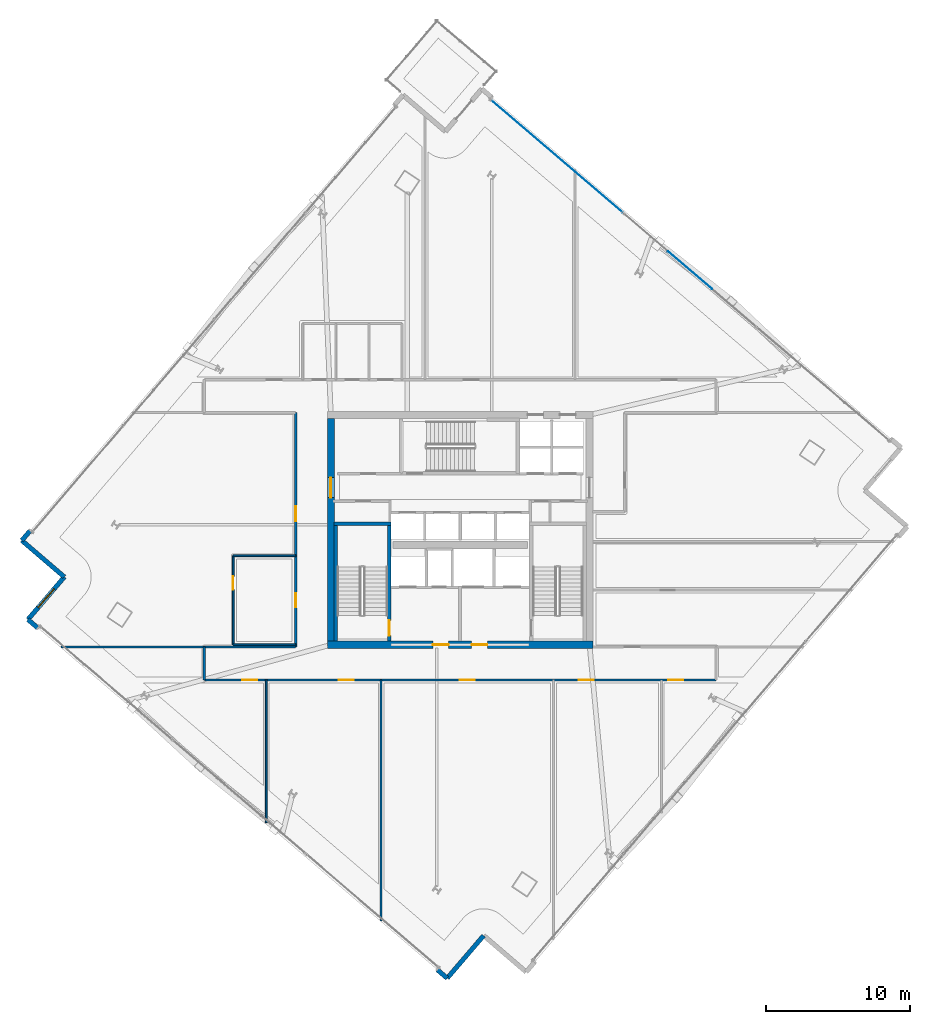
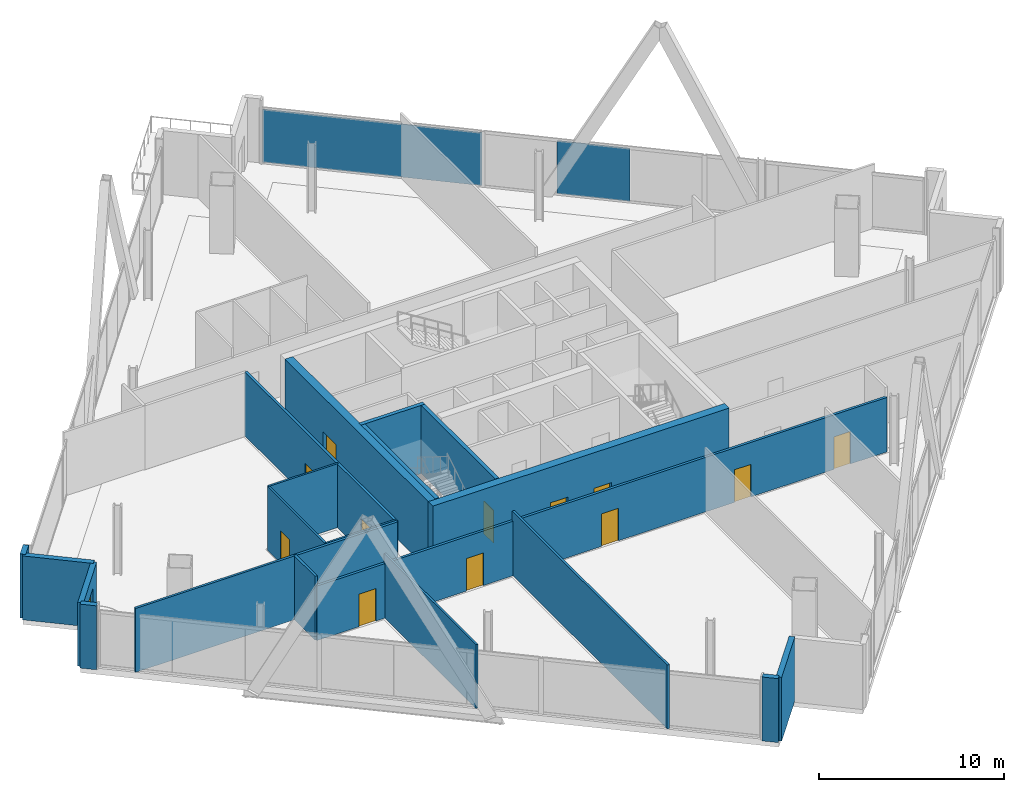
# One storey, part 18 of 26: 21 walls, 12 doors, 2 plates, 1 window, 13 openings, 1 element without a shape of its own.
"""IFC4 building model written with IfcOpenShell, lengths in metres."""

from ifc_helpers import new_model, si_unit, direction, frame, frame_2d, origin, origin_2d, place, context, subcontext, project, spatial, rectangle, extrude, source, transform, mapped, material, layer, layer_set, type_object, element, fill, aggregate, save


model = new_model("IFC4")

# Units and contexts
model_context = context("Model", 3, precision=1e-05, world=origin(), true_north=direction((0.0, 1.0)))
body_context = subcontext(model_context, "Body", "Model", "MODEL_VIEW")
ifc_project = project(units=[si_unit("LENGTHUNIT", "METRE"), si_unit("AREAUNIT", "SQUARE_METRE"), si_unit("VOLUMEUNIT", "CUBIC_METRE"), si_unit("PLANEANGLEUNIT", "RADIAN"), si_unit("MASSUNIT", "GRAM", prefix="KILO")], contexts=[model_context])

# Site, building, storey
site_placement = place(None, origin())
site = spatial("IfcSite", under=ifc_project, at=site_placement, CompositionType="ELEMENT")
building_placement = place(site_placement, origin())
building = spatial("IfcBuilding", under=site, at=building_placement, Name="Haldenkirk Collegiate Tower", CompositionType="ELEMENT")
storey_placement = place(building_placement, frame((0.0, 0.0, 193.949951171875)))
storey = spatial("IfcBuildingStorey", under=building, at=storey_placement, Name="L48", CompositionType="ELEMENT", Elevation=193.949951171875)

# Curtain wall, plates
ifc_material_1 = material(Name="Anodised architectural bronze aluminium", Category="aluminium")
curtain_wall_type = type_object("IfcCurtainWallType", Name="CW-SYS4-SKYGARDEN", PredefinedType="USERDEFINED", material=ifc_material_1)
curtain_wall_placement = place(storey_placement, origin())
curtain_wall = element("IfcCurtainWall", 1, at=curtain_wall_placement, inside=storey, type_object=curtain_wall_type, Name="L48 Sky-garden tall bronze curtain wall", ObjectType="UNITISED CURTAIN WALL", PredefinedType="USERDEFINED")
ifc_material_2 = material(Name="Low-E argon triple insulating glass", Category="glass")
ifc_layer_1 = layer(ifc_material_2, 0.0458984375)
ifc_layer_set_1 = layer_set([ifc_layer_1], Name="Low-E argon triple insulating glass")
plate_type_1 = type_object("IfcPlateType", Name="CW-PNL-04", PredefinedType="CURTAIN_PANEL", material=ifc_layer_set_1)
shared_shape_1 = source(origin(), body_context, "Body", "SweptSolid", [
    extrude(rectangle(XDim=12.06494140625, YDim=0.0458984375, at=origin_2d()), origin(), (0.0, 0.0, 1.0), 3.498046875),
])
plate_1_placement = place(storey_placement, frame((42.731689453125, 51.98388671875, 0.090087890625), z_axis=(0.0, 0.0, 1.0), x_axis=(0.759837400038, -0.650113163613, 0.0)))
plate_1 = element("IfcPlate", 2, at=plate_1_placement, type_object=plate_type_1, Name="CW-04 panel 1.1", PredefinedType="CURTAIN_PANEL", context=body_context, shape_type="MappedRepresentation", body=[
    mapped(shared_shape_1, transform((0.0, 0.0, 0.0), x_axis=(1.0, 0.0, 0.0), y_axis=(0.0, 1.0, 0.0), z_axis=(0.0, 0.0, 1.0), scale=1.0)),
])
ifc_material_3 = material(Name="Bronze-anodised insulated aluminium spandrel panel", Category="aluminium")
ifc_layer_2 = layer(ifc_material_3, 0.0458984375)
ifc_layer_set_2 = layer_set([ifc_layer_2], Name="Bronze-anodised insulated aluminium spandrel panel")
plate_type_2 = type_object("IfcPlateType", Name="CW-SPD-04", PredefinedType="CURTAIN_PANEL", material=ifc_layer_set_2)
shared_shape_2 = source(origin(), body_context, "Body", "SweptSolid", [
    extrude(rectangle(XDim=4.01171875, YDim=0.0458984375, at=origin_2d()), origin(), (0.0, 0.0, 1.0), 3.498046875),
])
plate_2_placement = place(storey_placement, frame((51.984619140625, 44.067138671875, 0.090087890625), z_axis=(0.0, 0.0, 1.0), x_axis=(0.759837400038, -0.650113163613, 0.0)))
plate_2 = element("IfcPlate", 3, at=plate_2_placement, type_object=plate_type_2, Name="CW-04 spandrel panel 2.1b", PredefinedType="CURTAIN_PANEL", context=body_context, shape_type="MappedRepresentation", body=[
    mapped(shared_shape_2, transform((0.0, 0.0, 0.0), x_axis=(1.0, 0.0, 0.0), y_axis=(0.0, 1.0, 0.0), z_axis=(0.0, 0.0, 1.0), scale=1.0)),
])
aggregate(curtain_wall, [plate_1, plate_2])

# Wall, openings, doors
ifc_material_4 = material(Name="Concrete f'c 55 MPa", Category="concrete")
ifc_layer_3 = layer(ifc_material_4, 0.5)
ifc_layer_set_3 = layer_set([ifc_layer_3], Name="Concrete f'c 55 MPa")
wall_type_1 = type_object("IfcWallType", Name="WL-CORE-500", PredefinedType="SHEAR", material=ifc_layer_set_3)
wall_1_placement = place(storey_placement, frame((26.75, 18.0, 0.0), z_axis=(0.0, 0.0, 1.0), x_axis=(1.0, 0.0, 0.0)))
wall_1 = element("IfcWall", 4, at=wall_1_placement, inside=storey, type_object=wall_type_1, Name="L48 central core shear wall S", PredefinedType="SHEAR", context=body_context, shape_type="SweptSolid", body=[
    extrude(rectangle(XDim=18.5, YDim=0.5, at=frame_2d((9.25, 0.0))), origin(), (0.0, 0.0, 1.0), 4.5),
])
opening_1_placement = place(wall_1_placement, frame((7.35009765625, 0.0, 0.0)))
opening_1 = element("IfcOpeningElement", 5, at=opening_1_placement, cuts=wall_1, Name="Opening D-02", PredefinedType="OPENING", context=body_context, shape_type="SweptSolid", body=[
    extrude(rectangle(XDim=1.10009765625, YDim=2.14990234375, at=frame_2d((0.550048828125, 1.074951171875))), frame((0.0, 0.260009765625, 0.0), z_axis=(0.0, -1.0, 0.0), x_axis=(1.0, 0.0, 0.0)), (0.0, 0.0, 1.0), 0.52001953125),
])
opening_2_placement = place(wall_1_placement, frame((10.050048828125, 0.0, 0.0)))
opening_2 = element("IfcOpeningElement", 6, at=opening_2_placement, cuts=wall_1, Name="Opening D-02", PredefinedType="OPENING", context=body_context, shape_type="SweptSolid", body=[
    extrude(rectangle(XDim=1.10009765625, YDim=2.14990234375, at=frame_2d((0.550048828125, 1.074951171875))), frame((0.0, 0.260009765625, 0.0), z_axis=(0.0, -1.0, 0.0), x_axis=(1.0, 0.0, 0.0)), (0.0, 0.0, 1.0), 0.52001953125),
])
ifc_material_5 = material(Name="Galvanized fire-rated hollow steel door", Category="steel")
ifc_layer_4 = layer(ifc_material_5, 0.06005859375)
ifc_layer_set_4 = layer_set([ifc_layer_4], Name="Galvanized fire-rated hollow steel door")
door_type_1 = type_object("IfcDoorType", Name="DR-STAIR-FD90-1100", OperationType="NOTDEFINED", PredefinedType="DOOR", material=ifc_layer_set_4)
door_1_placement = place(opening_1_placement, origin())
door_1 = element("IfcDoor", 7, at=door_1_placement, inside=storey, type_object=door_type_1, Name="L48 Firefighting Lobby 1 door", OperationType="SINGLE_SWING_RIGHT", OverallHeight=2.14990234375, OverallWidth=1.10009765625, PredefinedType="DOOR", context=body_context, shape_type="SweptSolid", body=[
    extrude(rectangle(XDim=1.10009765625, YDim=2.14990234375, at=frame_2d((0.550048828125, 1.074951171875))), frame((0.0, 0.02490234375, 0.0), z_axis=(0.0, -1.0, 0.0), x_axis=(1.0, 0.0, 0.0)), (0.0, 0.0, 1.0), 0.050048828125),
])
fill(opening_1, door_1)
door_2_placement = place(opening_2_placement, origin())
door_2 = element("IfcDoor", 8, at=door_2_placement, inside=storey, type_object=door_type_1, Name="L48 Firefighting Lobby 2 door", OperationType="SINGLE_SWING_LEFT", OverallHeight=2.14990234375, OverallWidth=1.10009765625, PredefinedType="DOOR", context=body_context, shape_type="SweptSolid", body=[
    extrude(rectangle(XDim=1.10009765625, YDim=2.14990234375, at=frame_2d((0.550048828125, 1.074951171875))), frame((0.0, 0.02490234375, 0.0), z_axis=(0.0, -1.0, 0.0), x_axis=(1.0, 0.0, 0.0)), (0.0, 0.0, 1.0), 0.050048828125),
])
fill(opening_2, door_2)

# Wall, opening, door
wall_2_placement = place(storey_placement, frame((27.0, 18.25, 0.0), z_axis=(0.0, 0.0, 1.0), x_axis=(0.0, 1.0, 0.0)))
wall_2 = element("IfcWall", 9, at=wall_2_placement, inside=storey, type_object=wall_type_1, Name="L48 central core shear wall W", PredefinedType="SHEAR", context=body_context, shape_type="SweptSolid", body=[
    extrude(rectangle(XDim=15.5, YDim=0.5, at=frame_2d((7.75, 0.0))), origin(), (0.0, 0.0, 1.0), 4.5),
])
opening_3_placement = place(wall_2_placement, frame((9.989990234375, 0.0, 0.0)))
opening_3 = element("IfcOpeningElement", 10, at=opening_3_placement, cuts=wall_2, Name="Opening D-03", PredefinedType="OPENING", context=body_context, shape_type="SweptSolid", body=[
    extrude(rectangle(XDim=1.39990234375, YDim=2.199951171875, at=frame_2d((0.699951171875, 1.10009765625))), frame((0.0, 0.260009765625, 0.0), z_axis=(0.0, -1.0, 0.0), x_axis=(1.0, 0.0, 0.0)), (0.0, 0.0, 1.0), 0.52001953125),
])
ifc_layer_5 = layer(ifc_material_5, 0.06005859375)
ifc_layer_set_5 = layer_set([ifc_layer_5], Name="Galvanized fire-rated hollow steel door")
door_type_2 = type_object("IfcDoorType", Name="DR-LOBBY-FD90-1400", OperationType="NOTDEFINED", PredefinedType="DOOR", material=ifc_layer_set_5)
door_3_placement = place(opening_3_placement, origin())
door_3 = element("IfcDoor", 11, at=door_3_placement, inside=storey, type_object=door_type_2, Name="L48 west lift lobby portal", OperationType="DOUBLE_DOOR_SINGLE_SWING", OverallHeight=2.199951171875, OverallWidth=1.39990234375, PredefinedType="DOOR", context=body_context, shape_type="SweptSolid", body=[
    extrude(rectangle(XDim=1.39990234375, YDim=2.199951171875, at=frame_2d((0.699951171875, 1.10009765625))), frame((0.0, 0.02490234375, 0.0), z_axis=(0.0, -1.0, 0.0), x_axis=(1.0, 0.0, 0.0)), (0.0, 0.0, 1.0), 0.050048828125),
])
fill(opening_3, door_3)

# Walls
ifc_material_6 = material(Name="Precast concrete f'c 40 MPa", Category="concrete")
ifc_layer_6 = layer(ifc_material_6, 0.320068359375)
ifc_layer_set_6 = layer_set([ifc_layer_6], Name="Precast concrete f'c 40 MPa")
wall_type_2 = type_object("IfcWallType", Name="WL-EXT-TWR-320", PredefinedType="STANDARD", material=ifc_layer_set_6)
wall_3_placement = place(storey_placement, frame((5.489501953125, 25.2568359375, 0.0), z_axis=(0.0, 0.0, 1.0), x_axis=(0.650031411695, 0.759907338963, 0.0)))
element("IfcWall", 12, at=wall_3_placement, inside=storey, type_object=wall_type_2, Name="L48 precast corner pier NL", PredefinedType="STANDARD", context=body_context, shape_type="SweptSolid", body=[
    extrude(rectangle(XDim=0.89990234375, YDim=0.320068359375, at=frame_2d((0.449951171875, 0.0))), origin(), (0.0, 0.0, 1.0), 4.219970703125),
])
wall_4_placement = place(storey_placement, frame((8.452880859375, 22.721435546875, 0.0), z_axis=(0.0, 0.0, 1.0), x_axis=(-0.759844000319, 0.650105449276, 0.0)))
element("IfcWall", 13, at=wall_4_placement, inside=storey, type_object=wall_type_2, Name="L48 bronze precast notch wall 08", PredefinedType="STANDARD", context=body_context, shape_type="SweptSolid", body=[
    extrude(rectangle(XDim=3.89990234375, YDim=0.320068359375, at=frame_2d((1.949951171875, 0.0))), origin(), (0.0, 0.0, 1.0), 4.219970703125),
])

# Wall, opening, window
wall_5_placement = place(storey_placement, frame((5.917236328125, 19.758056640625, 0.0), z_axis=(0.0, 0.0, 1.0), x_axis=(0.650141590235, 0.759813077438, 0.0)))
wall_5 = element("IfcWall", 14, at=wall_5_placement, inside=storey, type_object=wall_type_2, Name="L48 bronze precast notch wall 09", PredefinedType="STANDARD", context=body_context, shape_type="SweptSolid", body=[
    extrude(rectangle(XDim=3.900146484375, YDim=0.320068359375, at=frame_2d((1.9501953125, 0.0))), origin(), (0.0, 0.0, 1.0), 4.219970703125),
])
opening_4_placement = place(wall_5_placement, frame((1.10009765625, 0.0, 0.75)))
opening_4 = element("IfcOpeningElement", 15, at=opening_4_placement, cuts=wall_5, Name="Opening W-09", PredefinedType="OPENING", context=body_context, shape_type="SweptSolid", body=[
    extrude(rectangle(XDim=1.699951171875, YDim=2.5, at=frame_2d((0.85009765625, 1.25))), frame((0.0, 0.169921875, 0.0), z_axis=(0.0, -1.0, 0.0), x_axis=(1.0, 0.0, 0.0)), (0.0, 0.0, 1.0), 0.340087890625),
])
ifc_layer_7 = layer(ifc_material_2, 0.090087890625)
ifc_layer_set_7 = layer_set([ifc_layer_7], Name="Low-E argon triple insulating glass")
window_type = type_object("IfcWindowType", Name="WN-SG-1700X2500", PartitioningType="SINGLE_PANEL", PredefinedType="WINDOW", material=ifc_layer_set_7)
window_placement = place(opening_4_placement, origin())
window = element("IfcWindow", 16, at=window_placement, inside=storey, type_object=window_type, Name="L48 precast-frame academic window 8", OverallHeight=2.5, OverallWidth=1.699951171875, PartitioningType="SINGLE_PANEL", PredefinedType="WINDOW", context=body_context, shape_type="SweptSolid", body=[
    extrude(rectangle(XDim=1.699951171875, YDim=2.5, at=frame_2d((0.85009765625, 1.25))), frame((0.0, 0.030029296875, 0.0), z_axis=(0.0, -1.0, 0.0), x_axis=(1.0, 0.0, 0.0)), (0.0, 0.0, 1.0), 0.06005859375),
])
fill(opening_4, window)

# Walls
for number, where, z_axis, x_axis, name in (
    (17, (35.09521484375, -5.206298828125, 0.0), (0.0, 0.0, 1.0), (-0.759887969129, 0.650054054962, 0.0), "L48 precast corner pier WL"),
    (18, (6.601318359375, 19.1728515625, 0.0), (0.0, 0.0, 1.0), (-0.759887969129, 0.650054054962, 0.0), "L48 precast corner pier WR"),
):
    element("IfcWall", number, at=place(storey_placement, frame(where, z_axis=z_axis, x_axis=x_axis)), inside=storey, type_object=wall_type_2, Name=name, PredefinedType="STANDARD", context=body_context, shape_type="SweptSolid", body=[
        extrude(rectangle(XDim=0.900146484375, YDim=0.320068359375, at=frame_2d((0.4501953125, 0.0))), origin(), (0.0, 0.0, 1.0), 4.219970703125),
    ])
wall_6_placement = place(storey_placement, frame((37.630615234375, -2.242919921875, 0.0), z_axis=(0.0, 0.0, 1.0), x_axis=(-0.650105449276, -0.759844000319, 0.0)))
element("IfcWall", 19, at=wall_6_placement, inside=storey, type_object=wall_type_2, Name="L48 bronze precast notch wall 11", PredefinedType="STANDARD", context=body_context, shape_type="SweptSolid", body=[
    extrude(rectangle(XDim=3.89990234375, YDim=0.320068359375, at=frame_2d((1.949951171875, 0.0))), origin(), (0.0, 0.0, 1.0), 4.219970703125),
])

# Wall, openings, doors
ifc_material_7 = material(Name="Acoustic fire-rated gypsum partition", Category="concrete")
ifc_layer_8 = layer(ifc_material_7, 0.159912109375)
ifc_layer_set_8 = layer_set([ifc_layer_8], Name="Acoustic fire-rated gypsum partition")
wall_type_3 = type_object("IfcWallType", Name="WL-INT-CORR-160", PredefinedType="PARTITIONING", material=ifc_layer_set_8)
wall_7_placement = place(storey_placement, frame((18.199951171875, 15.550048828125, 0.0), z_axis=(0.0, 0.0, 1.0), x_axis=(1.0, 0.0, 0.0)))
wall_7 = element("IfcWall", 20, at=wall_7_placement, inside=storey, type_object=wall_type_3, Name="L48 interior partition IW-L48-CS", PredefinedType="PARTITIONING", context=body_context, shape_type="SweptSolid", body=[
    extrude(rectangle(XDim=35.60009765625, YDim=0.159912109375, at=frame_2d((17.800048828125, 0.0))), origin(), (0.0, 0.0, 1.0), 3.59912109375),
])
opening_5_placement = place(wall_7_placement, frame((2.625, 0.0, 0.0)))
opening_5 = element("IfcOpeningElement", 21, at=opening_5_placement, cuts=wall_7, Name="Opening D-09", PredefinedType="OPENING", context=body_context, shape_type="SweptSolid", body=[
    extrude(rectangle(XDim=1.050048828125, YDim=2.14990234375, at=frame_2d((0.52490234375, 1.074951171875))), frame((0.0, 0.08984375, 0.0), z_axis=(0.0, -1.0, 0.0), x_axis=(1.0, 0.0, 0.0)), (0.0, 0.0, 1.0), 0.179931640625),
])
opening_6_placement = place(wall_7_placement, frame((9.3349609375, 0.0, 0.0)))
opening_6 = element("IfcOpeningElement", 22, at=opening_6_placement, cuts=wall_7, Name="Opening D-09", PredefinedType="OPENING", context=body_context, shape_type="SweptSolid", body=[
    extrude(rectangle(XDim=1.050048828125, YDim=2.14990234375, at=frame_2d((0.52490234375, 1.074951171875))), frame((0.0, 0.08984375, 0.0), z_axis=(0.0, -1.0, 0.0), x_axis=(1.0, 0.0, 0.0)), (0.0, 0.0, 1.0), 0.179931640625),
])
opening_7_placement = place(wall_7_placement, frame((17.77490234375, 0.0, 0.0)))
opening_7 = element("IfcOpeningElement", 23, at=opening_7_placement, cuts=wall_7, Name="Opening D-09", PredefinedType="OPENING", context=body_context, shape_type="SweptSolid", body=[
    extrude(rectangle(XDim=1.050048828125, YDim=2.14990234375, at=frame_2d((0.52490234375, 1.074951171875))), frame((0.0, 0.08984375, 0.0), z_axis=(0.0, -1.0, 0.0), x_axis=(1.0, 0.0, 0.0)), (0.0, 0.0, 1.0), 0.179931640625),
])
opening_8_placement = place(wall_7_placement, frame((26.054931640625, 0.0, 0.0)))
opening_8 = element("IfcOpeningElement", 24, at=opening_8_placement, cuts=wall_7, Name="Opening D-09", PredefinedType="OPENING", context=body_context, shape_type="SweptSolid", body=[
    extrude(rectangle(XDim=1.050048828125, YDim=2.14990234375, at=frame_2d((0.52490234375, 1.074951171875))), frame((0.0, 0.08984375, 0.0), z_axis=(0.0, -1.0, 0.0), x_axis=(1.0, 0.0, 0.0)), (0.0, 0.0, 1.0), 0.179931640625),
])
opening_9_placement = place(wall_7_placement, frame((32.264892578125, 0.0, 0.0)))
opening_9 = element("IfcOpeningElement", 25, at=opening_9_placement, cuts=wall_7, Name="Opening D-09", PredefinedType="OPENING", context=body_context, shape_type="SweptSolid", body=[
    extrude(rectangle(XDim=1.050048828125, YDim=2.14990234375, at=frame_2d((0.52490234375, 1.074951171875))), frame((0.0, 0.08984375, 0.0), z_axis=(0.0, -1.0, 0.0), x_axis=(1.0, 0.0, 0.0)), (0.0, 0.0, 1.0), 0.179931640625),
])
ifc_material_8 = material(Name="Solid-core architectural oak fire door", Category="wood")
ifc_layer_9 = layer(ifc_material_8, 0.06005859375)
ifc_layer_set_9 = layer_set([ifc_layer_9], Name="Solid-core architectural oak fire door")
door_type_3 = type_object("IfcDoorType", Name="DR-INT-FD60-1050", OperationType="NOTDEFINED", PredefinedType="DOOR", material=ifc_layer_set_9)
door_4_placement = place(opening_5_placement, origin())
door_4 = element("IfcDoor", 26, at=door_4_placement, inside=storey, type_object=door_type_3, Name="L48 Sky-Garden Botanical Conservatory door", OperationType="SINGLE_SWING_RIGHT", OverallHeight=2.14990234375, OverallWidth=1.050048828125, PredefinedType="DOOR", context=body_context, shape_type="SweptSolid", body=[
    extrude(rectangle(XDim=1.050048828125, YDim=2.14990234375, at=frame_2d((0.52490234375, 1.074951171875))), frame((0.0, 0.02490234375, 0.0), z_axis=(0.0, -1.0, 0.0), x_axis=(1.0, 0.0, 0.0)), (0.0, 0.0, 1.0), 0.050048828125),
])
fill(opening_5, door_4)
door_5_placement = place(opening_6_placement, origin())
door_5 = element("IfcDoor", 27, at=door_5_placement, inside=storey, type_object=door_type_3, Name="L48 Ergonomics Clinic 2 door", OperationType="SINGLE_SWING_LEFT", OverallHeight=2.14990234375, OverallWidth=1.050048828125, PredefinedType="DOOR", context=body_context, shape_type="SweptSolid", body=[
    extrude(rectangle(XDim=1.050048828125, YDim=2.14990234375, at=frame_2d((0.52490234375, 1.074951171875))), frame((0.0, 0.02490234375, 0.0), z_axis=(0.0, -1.0, 0.0), x_axis=(1.0, 0.0, 0.0)), (0.0, 0.0, 1.0), 0.050048828125),
])
fill(opening_6, door_5)
door_6_placement = place(opening_7_placement, origin())
door_6 = element("IfcDoor", 28, at=door_6_placement, inside=storey, type_object=door_type_3, Name="L48 Collegiate Commons Lounge 3 door", OperationType="SINGLE_SWING_RIGHT", OverallHeight=2.14990234375, OverallWidth=1.050048828125, PredefinedType="DOOR", context=body_context, shape_type="SweptSolid", body=[
    extrude(rectangle(XDim=1.050048828125, YDim=2.14990234375, at=frame_2d((0.52490234375, 1.074951171875))), frame((0.0, 0.02490234375, 0.0), z_axis=(0.0, -1.0, 0.0), x_axis=(1.0, 0.0, 0.0)), (0.0, 0.0, 1.0), 0.050048828125),
])
fill(opening_7, door_6)
door_7_placement = place(opening_8_placement, origin())
door_7 = element("IfcDoor", 29, at=door_7_placement, inside=storey, type_object=door_type_3, Name="L48 Graduate Study Lounge 4 door", OperationType="SINGLE_SWING_LEFT", OverallHeight=2.14990234375, OverallWidth=1.050048828125, PredefinedType="DOOR", context=body_context, shape_type="SweptSolid", body=[
    extrude(rectangle(XDim=1.050048828125, YDim=2.14990234375, at=frame_2d((0.52490234375, 1.074951171875))), frame((0.0, 0.02490234375, 0.0), z_axis=(0.0, -1.0, 0.0), x_axis=(1.0, 0.0, 0.0)), (0.0, 0.0, 1.0), 0.050048828125),
])
fill(opening_8, door_7)
door_8_placement = place(opening_9_placement, origin())
door_8 = element("IfcDoor", 30, at=door_8_placement, inside=storey, type_object=door_type_3, Name="L48 Special Collections Archive 5 door", OperationType="SINGLE_SWING_RIGHT", OverallHeight=2.14990234375, OverallWidth=1.050048828125, PredefinedType="DOOR", context=body_context, shape_type="SweptSolid", body=[
    extrude(rectangle(XDim=1.050048828125, YDim=2.14990234375, at=frame_2d((0.52490234375, 1.074951171875))), frame((0.0, 0.02490234375, 0.0), z_axis=(0.0, -1.0, 0.0), x_axis=(1.0, 0.0, 0.0)), (0.0, 0.0, 1.0), 0.050048828125),
])
fill(opening_9, door_8)

# Wall
wall_8_placement = place(storey_placement, frame((18.199951171875, 17.85009765625, 0.0), z_axis=(0.0, 0.0, 1.0), x_axis=(1.0, 0.0, 0.0)))
element("IfcWall", 31, at=wall_8_placement, inside=storey, type_object=wall_type_3, Name="L48 interior partition IW-L48-CSW", PredefinedType="PARTITIONING", context=body_context, shape_type="SweptSolid", body=[
    extrude(rectangle(XDim=6.35009765625, YDim=0.159912109375, at=frame_2d((3.175048828125, 0.0))), origin(), (0.0, 0.0, 1.0), 4.219970703125),
])

# Wall, openings, doors
wall_9_placement = place(storey_placement, frame((24.550048828125, 17.85009765625, 0.0), z_axis=(0.0, 0.0, 1.0), x_axis=(0.0, 1.0, 0.0)))
wall_9 = element("IfcWall", 32, at=wall_9_placement, inside=storey, type_object=wall_type_3, Name="L48 interior partition IW-L48-CW", PredefinedType="PARTITIONING", context=body_context, shape_type="SweptSolid", body=[
    extrude(rectangle(XDim=16.2998046875, YDim=0.159912109375, at=frame_2d((8.14990234375, 0.0))), origin(), (0.0, 0.0, 1.0), 4.219970703125),
])
opening_10_placement = place(wall_9_placement, frame((2.77490234375, 0.0, 0.0)))
opening_10 = element("IfcOpeningElement", 33, at=opening_10_placement, cuts=wall_9, Name="Opening D-10", PredefinedType="OPENING", context=body_context, shape_type="SweptSolid", body=[
    extrude(rectangle(XDim=0.949951171875, YDim=2.14990234375, at=frame_2d((0.47509765625, 1.074951171875))), frame((0.0, 0.08984375, 0.0), z_axis=(0.0, -1.0, 0.0), x_axis=(1.0, 0.0, 0.0)), (0.0, 0.0, 1.0), 0.179931640625),
])
opening_11_placement = place(wall_9_placement, frame((8.72900390625, 0.0, 0.0)))
opening_11 = element("IfcOpeningElement", 34, at=opening_11_placement, cuts=wall_9, Name="Opening D-09", PredefinedType="OPENING", context=body_context, shape_type="SweptSolid", body=[
    extrude(rectangle(XDim=1.050048828125, YDim=2.14990234375, at=frame_2d((0.52490234375, 1.074951171875))), frame((0.0, 0.08984375, 0.0), z_axis=(0.0, -1.0, 0.0), x_axis=(1.0, 0.0, 0.0)), (0.0, 0.0, 1.0), 0.179931640625),
])
door_9_placement = place(opening_11_placement, origin())
door_9 = element("IfcDoor", 35, at=door_9_placement, inside=storey, type_object=door_type_3, Name="L48 Collegiate Commons Lounge 9 door", OperationType="SINGLE_SWING_RIGHT", OverallHeight=2.14990234375, OverallWidth=1.050048828125, PredefinedType="DOOR", context=body_context, shape_type="SweptSolid", body=[
    extrude(rectangle(XDim=1.050048828125, YDim=2.14990234375, at=frame_2d((0.52490234375, 1.074951171875))), frame((0.0, 0.02490234375, 0.0), z_axis=(0.0, -1.0, 0.0), x_axis=(1.0, 0.0, 0.0)), (0.0, 0.0, 1.0), 0.050048828125),
])
fill(opening_11, door_9)
ifc_layer_10 = layer(ifc_material_8, 0.06005859375)
ifc_layer_set_10 = layer_set([ifc_layer_10], Name="Solid-core architectural oak fire door")
door_type_4 = type_object("IfcDoorType", Name="DR-INT-FD60-950", OperationType="NOTDEFINED", PredefinedType="DOOR", material=ifc_layer_set_10)
door_10_placement = place(opening_10_placement, origin())
door_10 = element("IfcDoor", 36, at=door_10_placement, inside=storey, type_object=door_type_4, Name="L48 West Faculty Tutorial Pod corridor door", OperationType="SINGLE_SWING_RIGHT", OverallHeight=2.14990234375, OverallWidth=0.949951171875, PredefinedType="DOOR", context=body_context, shape_type="SweptSolid", body=[
    extrude(rectangle(XDim=0.949951171875, YDim=2.14990234375, at=frame_2d((0.47509765625, 1.074951171875))), frame((0.0, 0.02490234375, 0.0), z_axis=(0.0, -1.0, 0.0), x_axis=(1.0, 0.0, 0.0)), (0.0, 0.0, 1.0), 0.050048828125),
])
fill(opening_10, door_10)

# Walls
wall_10_placement = place(storey_placement, frame((18.199951171875, 15.550048828125, 0.0), z_axis=(0.0, 0.0, 1.0), x_axis=(0.0, 1.0, 0.0)))
element("IfcWall", 37, at=wall_10_placement, inside=storey, type_object=wall_type_3, Name="L48 interior partition IW-L48-CSL", PredefinedType="PARTITIONING", context=body_context, shape_type="SweptSolid", body=[
    extrude(rectangle(XDim=2.300048828125, YDim=0.159912109375, at=frame_2d((1.14990234375, 0.0))), origin(), (0.0, 0.0, 1.0), 4.219970703125),
])
ifc_layer_11 = layer(ifc_material_7, 0.139892578125)
ifc_layer_set_11 = layer_set([ifc_layer_11], Name="Acoustic fire-rated gypsum partition")
wall_type_4 = type_object("IfcWallType", Name="WL-INT-DIV-140", PredefinedType="PARTITIONING", material=ifc_layer_set_11)
wall_11_placement = place(storey_placement, frame((8.208984375, 17.85009765625, 0.0), z_axis=(0.0, 0.0, 1.0), x_axis=(1.0, 0.0, 0.0)))
element("IfcWall", 38, at=wall_11_placement, inside=storey, type_object=wall_type_4, Name="L48 interior partition IW-L48-BWS", PredefinedType="PARTITIONING", context=body_context, shape_type="SweptSolid", body=[
    extrude(rectangle(XDim=9.990966796875, YDim=0.139892578125, at=frame_2d((4.99560546875, 0.0))), origin(), (0.0, 0.0, 1.0), 4.219970703125),
])
wall_12_placement = place(storey_placement, frame((30.5, -1.22216796875, 0.0), z_axis=(0.0, 0.0, 1.0), x_axis=(0.0, 1.0, 0.0)))
element("IfcWall", 39, at=wall_12_placement, inside=storey, type_object=wall_type_4, Name="L48 interior partition IW-L48-RS2", PredefinedType="PARTITIONING", context=body_context, shape_type="SweptSolid", body=[
    extrude(rectangle(XDim=16.772216796875, YDim=0.139892578125, at=frame_2d((8.38623046875, 0.0))), origin(), (0.0, 0.0, 1.0), 4.219970703125),
])
ifc_layer_12 = layer(ifc_material_7, 0.1201171875)
ifc_layer_set_12 = layer_set([ifc_layer_12], Name="Acoustic fire-rated gypsum partition")
wall_type_5 = type_object("IfcWallType", Name="WL-INT-WET-120", PredefinedType="PARTITIONING", material=ifc_layer_set_12)
wall_13_placement = place(storey_placement, frame((22.5, 5.62255859375, 0.0), z_axis=(0.0, 0.0, 1.0), x_axis=(0.0, 1.0, 0.0)))
element("IfcWall", 40, at=wall_13_placement, inside=storey, type_object=wall_type_5, Name="L48 interior partition IW-L48-RS1", PredefinedType="PARTITIONING", context=body_context, shape_type="SweptSolid", body=[
    extrude(rectangle(XDim=9.927490234375, YDim=0.1201171875, at=frame_2d((4.9638671875, 0.0))), origin(), (0.0, 0.0, 1.0), 4.219970703125),
])
wall_14_placement = place(storey_placement, frame((20.199951171875, 18.0, 0.0), z_axis=(0.0, 0.0, 1.0), x_axis=(1.0, 0.0, 0.0)))
element("IfcWall", 41, at=wall_14_placement, inside=storey, type_object=wall_type_5, Name="L48 interior partition IW-L48-SUBWS", PredefinedType="PARTITIONING", context=body_context, shape_type="SweptSolid", body=[
    extrude(rectangle(XDim=4.35009765625, YDim=0.1201171875, at=frame_2d((2.175048828125, 0.0))), origin(), (0.0, 0.0, 1.0), 4.219970703125),
])

# Wall, opening, door
wall_15_placement = place(storey_placement, frame((20.199951171875, 18.0, 0.0), z_axis=(0.0, 0.0, 1.0), x_axis=(0.0, 1.0, 0.0)))
wall_15 = element("IfcWall", 42, at=wall_15_placement, inside=storey, type_object=wall_type_5, Name="L48 interior partition IW-L48-SUBW", PredefinedType="PARTITIONING", context=body_context, shape_type="SweptSolid", body=[
    extrude(rectangle(XDim=6.199951171875, YDim=0.1201171875, at=frame_2d((3.10009765625, 0.0))), origin(), (0.0, 0.0, 1.0), 4.219970703125),
])
opening_12_placement = place(wall_15_placement, frame((3.824951171875, 0.0, 0.0)))
opening_12 = element("IfcOpeningElement", 43, at=opening_12_placement, cuts=wall_15, Name="Opening D-12", PredefinedType="OPENING", context=body_context, shape_type="SweptSolid", body=[
    extrude(rectangle(XDim=0.949951171875, YDim=2.14990234375, at=frame_2d((0.47509765625, 1.074951171875))), frame((0.0, 0.070068359375, 0.0), z_axis=(0.0, -1.0, 0.0), x_axis=(1.0, 0.0, 0.0)), (0.0, 0.0, 1.0), 0.14013671875),
])
ifc_layer_13 = layer(ifc_material_8, 0.06005859375)
ifc_layer_set_13 = layer_set([ifc_layer_13], Name="Solid-core architectural oak fire door")
door_type_5 = type_object("IfcDoorType", Name="DR-INT-STD-950", OperationType="NOTDEFINED", PredefinedType="DOOR", material=ifc_layer_set_13)
door_11_placement = place(opening_12_placement, origin())
door_11 = element("IfcDoor", 44, at=door_11_placement, inside=storey, type_object=door_type_5, Name="L48 West Faculty Tutorial Pod suite door", OperationType="SINGLE_SWING_LEFT", OverallHeight=2.14990234375, OverallWidth=0.949951171875, PredefinedType="DOOR", context=body_context, shape_type="SweptSolid", body=[
    extrude(rectangle(XDim=0.949951171875, YDim=2.14990234375, at=frame_2d((0.47509765625, 1.074951171875))), frame((0.0, 0.02490234375, 0.0), z_axis=(0.0, -1.0, 0.0), x_axis=(1.0, 0.0, 0.0)), (0.0, 0.0, 1.0), 0.050048828125),
])
fill(opening_12, door_11)

# Wall
wall_16_placement = place(storey_placement, frame((20.199951171875, 24.199951171875, 0.0), z_axis=(0.0, 0.0, 1.0), x_axis=(1.0, 0.0, 0.0)))
element("IfcWall", 45, at=wall_16_placement, inside=storey, type_object=wall_type_5, Name="L48 interior partition IW-L48-SUBWN", PredefinedType="PARTITIONING", context=body_context, shape_type="SweptSolid", body=[
    extrude(rectangle(XDim=4.35009765625, YDim=0.1201171875, at=frame_2d((2.175048828125, 0.0))), origin(), (0.0, 0.0, 1.0), 4.219970703125),
])

# Wall, opening, door
ifc_layer_14 = layer(ifc_material_4, 0.239990234375)
ifc_layer_set_14 = layer_set([ifc_layer_14], Name="Concrete f'c 55 MPa")
wall_type_6 = type_object("IfcWallType", Name="WL-SHAFT-240", PredefinedType="SHEAR", material=ifc_layer_set_14)
wall_17_placement = place(storey_placement, frame((31.070068359375, 18.280029296875, 0.0), z_axis=(0.0, 0.0, 1.0), x_axis=(0.0, 1.0, 0.0)))
wall_17 = element("IfcWall", 46, at=wall_17_placement, inside=storey, type_object=wall_type_6, Name="L48 stair shaft shear wall SW-L48-ST1E", PredefinedType="SHEAR", context=body_context, shape_type="SweptSolid", body=[
    extrude(rectangle(XDim=8.260009765625, YDim=0.239990234375, at=frame_2d((4.1298828125, 0.0))), origin(), (0.0, 0.0, 1.0), 4.5),
])
opening_13_placement = place(wall_17_placement, frame((0.364990234375, 0.0, 0.0)))
opening_13 = element("IfcOpeningElement", 47, at=opening_13_placement, cuts=wall_17, Name="Opening D-01", PredefinedType="OPENING", context=body_context, shape_type="SweptSolid", body=[
    extrude(rectangle(XDim=1.050048828125, YDim=2.14990234375, at=frame_2d((0.52490234375, 1.074951171875))), frame((0.0, 0.1298828125, 0.0), z_axis=(0.0, -1.0, 0.0), x_axis=(1.0, 0.0, 0.0)), (0.0, 0.0, 1.0), 0.260009765625),
])
ifc_layer_15 = layer(ifc_material_5, 0.06005859375)
ifc_layer_set_15 = layer_set([ifc_layer_15], Name="Galvanized fire-rated hollow steel door")
door_type_6 = type_object("IfcDoorType", Name="DR-STAIR-FD90-1050", OperationType="NOTDEFINED", PredefinedType="DOOR", material=ifc_layer_set_15)
door_12_placement = place(opening_13_placement, origin())
door_12 = element("IfcDoor", 48, at=door_12_placement, inside=storey, type_object=door_type_6, Name="L48 Stair 1 door", OperationType="SINGLE_SWING_LEFT", OverallHeight=2.14990234375, OverallWidth=1.050048828125, PredefinedType="DOOR", context=body_context, shape_type="SweptSolid", body=[
    extrude(rectangle(XDim=1.050048828125, YDim=2.14990234375, at=frame_2d((0.52490234375, 1.074951171875))), frame((0.0, 0.02490234375, 0.0), z_axis=(0.0, -1.0, 0.0), x_axis=(1.0, 0.0, 0.0)), (0.0, 0.0, 1.0), 0.050048828125),
])
fill(opening_13, door_12)

# Walls
wall_18_placement = place(storey_placement, frame((27.2099609375, 26.419921875, 0.0), z_axis=(0.0, 0.0, 1.0), x_axis=(1.0, 0.0, 0.0)))
element("IfcWall", 49, at=wall_18_placement, inside=storey, type_object=wall_type_6, Name="L48 stair shaft shear wall SW-L48-ST1N", PredefinedType="SHEAR", context=body_context, shape_type="SweptSolid", body=[
    extrude(rectangle(XDim=3.97998046875, YDim=0.239990234375, at=frame_2d((1.989990234375, 0.0))), origin(), (0.0, 0.0, 1.0), 4.5),
])
wall_19_placement = place(storey_placement, frame((27.330078125, 18.280029296875, 0.0), z_axis=(0.0, 0.0, 1.0), x_axis=(0.0, 1.0, 0.0)))
element("IfcWall", 50, at=wall_19_placement, inside=storey, type_object=wall_type_6, Name="L48 stair shaft shear wall SW-L48-ST1W", PredefinedType="SHEAR", context=body_context, shape_type="SweptSolid", body=[
    extrude(rectangle(XDim=8.260009765625, YDim=0.239990234375, at=frame_2d((4.1298828125, 0.0))), origin(), (0.0, 0.0, 1.0), 4.5),
])

save(model, "model.ifc")
